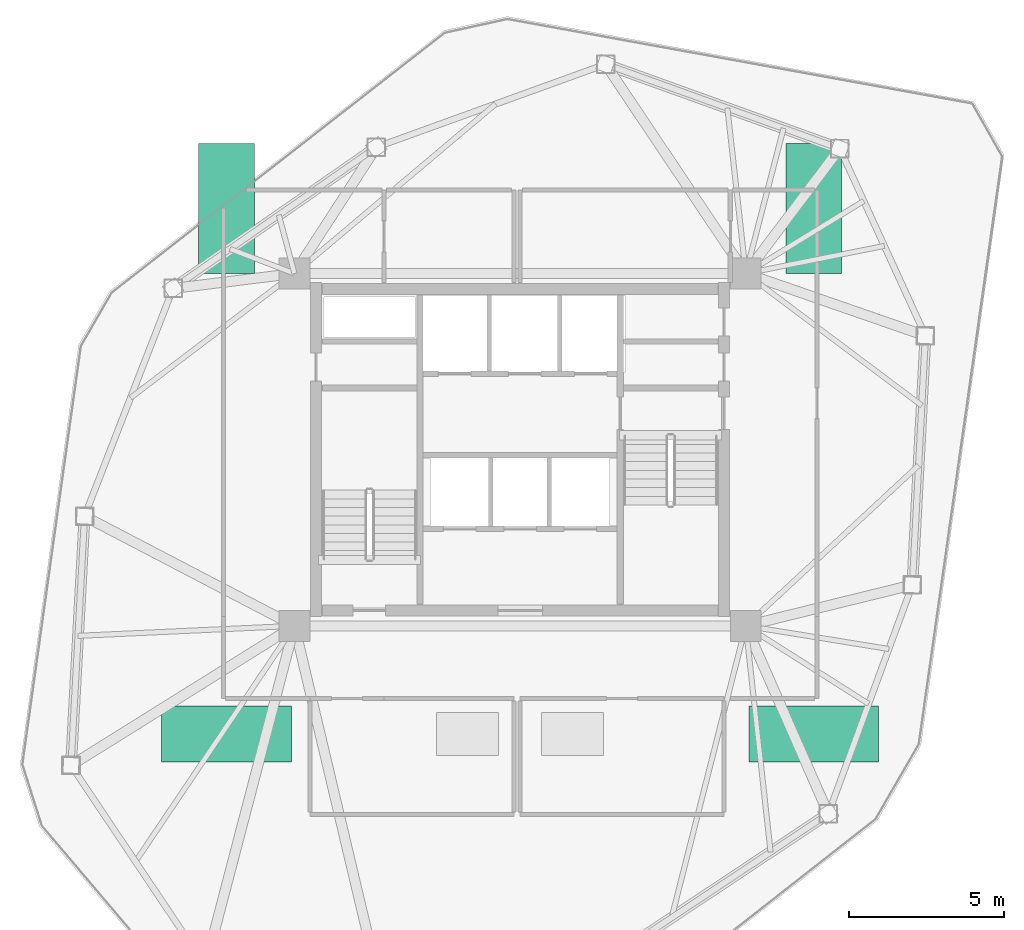
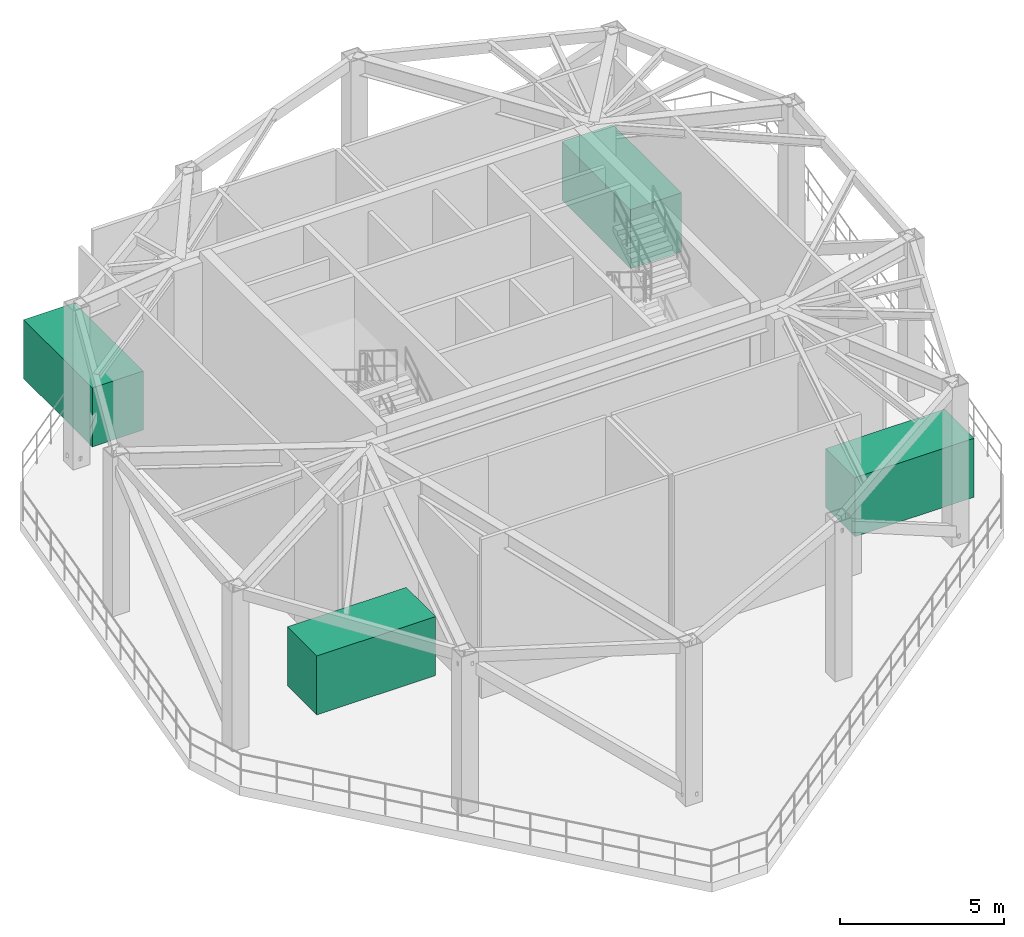
# One storey, part 7 of 7: 4 electric generators.
"""IFC4 building model written with IfcOpenShell, lengths in metres."""

from ifc_helpers import new_model, si_unit, direction, frame, origin, origin_2d, place, context, subcontext, project, spatial, rectangle, extrude, source, transform, mapped, material, type_object, type_shapes, element, save


model = new_model("IFC4")

# Units and contexts
model_context = context("Model", 3, precision=1e-05, world=origin(), true_north=direction((0.0, 1.0)))
body_context = subcontext(model_context, "Body", "Model", "MODEL_VIEW")
ifc_project = project(units=[si_unit("LENGTHUNIT", "METRE"), si_unit("AREAUNIT", "SQUARE_METRE"), si_unit("VOLUMEUNIT", "CUBIC_METRE"), si_unit("PLANEANGLEUNIT", "RADIAN"), si_unit("MASSUNIT", "GRAM", prefix="KILO")], contexts=[model_context])

# Site, building, storey
site_placement = place(None, origin())
site = spatial("IfcSite", under=ifc_project, at=site_placement, CompositionType="ELEMENT")
building_placement = place(site_placement, origin())
building = spatial("IfcBuilding", under=site, at=building_placement, Name="Talar Marvaseh", CompositionType="ELEMENT")
storey_placement = place(building_placement, frame((0.0, 0.0, 202.0)))
storey = spatial("IfcBuildingStorey", under=building, at=storey_placement, Name="L53", CompositionType="ELEMENT", Elevation=202.0)

# Electric generators
ifc_material = material(Name="Architectural Aluminium", Category="aluminium")
electric_generator_type = type_object("IfcElectricGeneratorType", Name="Horizontal Cross-Flow Shrouded Wind Turbine Generator", PredefinedType="STANDALONE", material=ifc_material)
shared_shape = source(origin(), body_context, "Body", "SweptSolid", [
    extrude(rectangle(XDim=4.199951171875, YDim=1.800048828125, at=origin_2d()), origin(), (0.0, 0.0, 1.0), 2.199951171875),
])
type_shapes(electric_generator_type, [shared_shape])
for number, where, z_axis, x_axis, name in (
    (1, (16.5, 22.0, 0.0), (0.0, 0.0, 1.0), (1.0, 0.0, 0.0), "L53 Shrouded Badgir Wind Turbine 1"),
    (2, (35.5, 22.0, 0.0), (0.0, 0.0, 1.0), (1.0, 0.0, 0.0), "L53 Shrouded Badgir Wind Turbine 2"),
    (3, (16.5, 39.0, 0.0), (0.0, 0.0, 1.0), (0.0, 1.0, 0.0), "L53 Shrouded Badgir Wind Turbine 3"),
    (4, (35.5, 39.0, 0.0), (0.0, 0.0, 1.0), (0.0, 1.0, 0.0), "L53 Shrouded Badgir Wind Turbine 4"),
):
    element("IfcElectricGenerator", number, at=place(storey_placement, frame(where, z_axis=z_axis, x_axis=x_axis)), inside=storey, type_object=electric_generator_type, Name=name, PredefinedType="STANDALONE", context=body_context, shape_type="MappedRepresentation", body=[
        mapped(shared_shape, transform((0.0, 0.0, 0.0), x_axis=(1.0, 0.0, 0.0), y_axis=(0.0, 1.0, 0.0), z_axis=(0.0, 0.0, 1.0), scale=1.0)),
    ])

save(model, "model.ifc")
